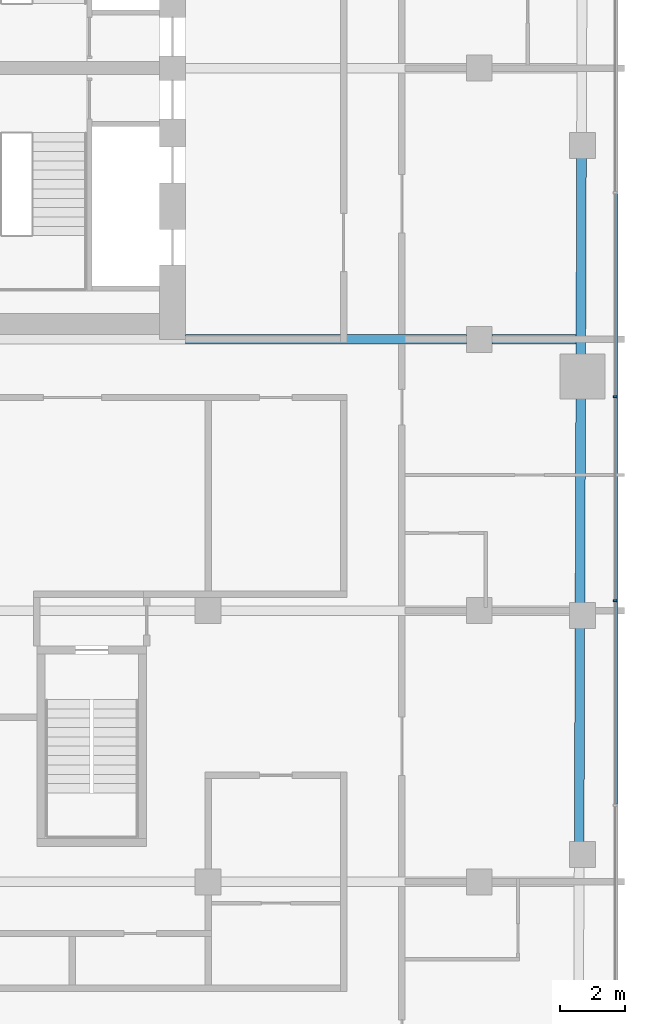
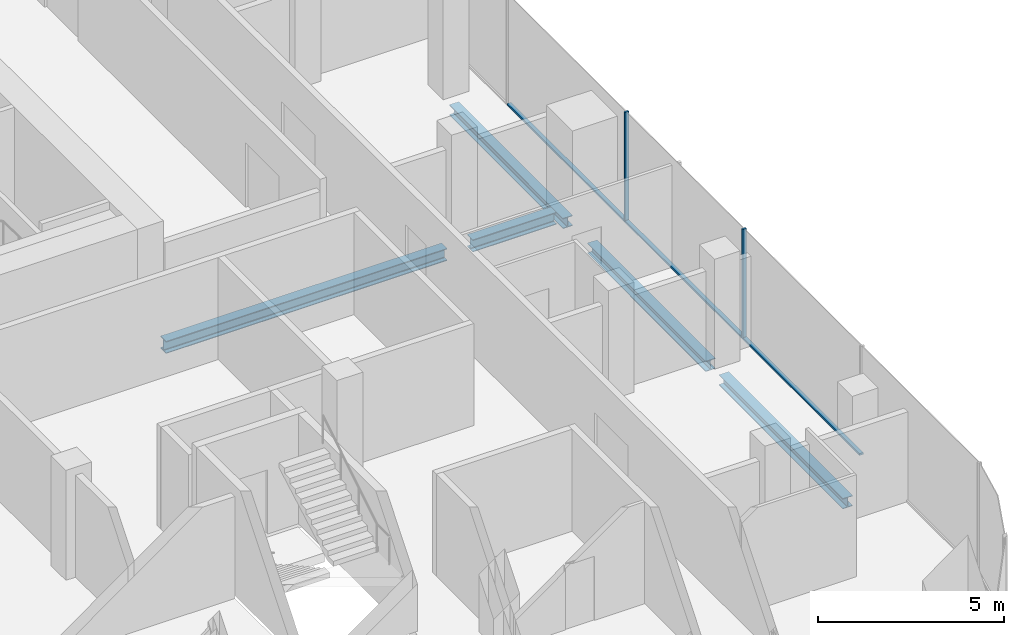
# One storey, part 7 of 21: 5 beams, 5 members, 1 element without a shape of its own.
"""IFC4 building model written with IfcOpenShell, lengths in metres."""

from ifc_helpers import new_model, si_unit, direction, frame, origin, origin_2d, place, context, subcontext, project, spatial, rectangle, i_section, extrude, material, layer, layer_set, material_profile, profile_set, type_object, element, aggregate, save


model = new_model("IFC4")

# Units and contexts
model_context = context("Model", 3, precision=1e-05, world=origin(), true_north=direction((0.0, 1.0)))
body_context = subcontext(model_context, "Body", "Model", "MODEL_VIEW")
ifc_project = project(units=[si_unit("LENGTHUNIT", "METRE"), si_unit("AREAUNIT", "SQUARE_METRE"), si_unit("VOLUMEUNIT", "CUBIC_METRE"), si_unit("PLANEANGLEUNIT", "RADIAN"), si_unit("MASSUNIT", "GRAM", prefix="KILO")], contexts=[model_context])

# Site, building, storey
site_placement = place(None, origin())
site = spatial("IfcSite", under=ifc_project, at=site_placement, CompositionType="ELEMENT")
building_placement = place(site_placement, origin())
building = spatial("IfcBuilding", under=site, at=building_placement, Name="Marenta Gate Hotel Tower", CompositionType="ELEMENT")
storey_placement = place(building_placement, frame((0.0, 0.0, 202.10009765625)))
storey = spatial("IfcBuildingStorey", under=building, at=storey_placement, Name="L46", CompositionType="ELEMENT", Elevation=202.10009765625)

# Beams
ifc_material_1 = material(Name="Steel S355", Category="steel")
ifc_material_profile_1 = material_profile(ifc_material_1, i_section(OverallWidth=0.300048828125, OverallDepth=0.340087890625, WebThickness=0.011962890625, FlangeThickness=0.021484375, FilletRadius=0.027099609375, at=origin_2d()), Name="HEB 340")
ifc_profile_set_1 = profile_set([ifc_material_profile_1], Name="Steel S355")
beam_type_1 = type_object("IfcBeamType", Name="Edge beam HEB 340", PredefinedType="SPANDREL", material=ifc_profile_set_1)
beam_1_placement = place(storey_placement, frame((24.164306640625, 5.643310546875, -0.43017578125), z_axis=(-0.003303859048, -0.999994542243, 0.0), x_axis=(0.999994542243, -0.003303859048, 0.0)))
element("IfcBeam", 1, at=beam_1_placement, inside=storey, type_object=beam_type_1, Name="L46-EB-24", PredefinedType="SPANDREL", context=body_context, shape_type="SweptSolid", body=[
    extrude(i_section(OverallWidth=0.300048828125, OverallDepth=0.340087890625, WebThickness=0.011962890625, FlangeThickness=0.021484375, FilletRadius=0.027099609375, at=origin_2d()), origin(), (0.0, 0.0, 1.0), 6.13330078125),
])
beam_2_placement = place(storey_placement, frame((24.1396484375, -1.81005859375, -0.43017578125), z_axis=(-0.003328723523, -0.999994459785, 0.0), x_axis=(0.999994459785, -0.003328723523, 0.0)))
element("IfcBeam", 2, at=beam_2_placement, inside=storey, type_object=beam_type_1, Name="L46-EB-25", PredefinedType="SPANDREL", context=body_context, shape_type="SweptSolid", body=[
    extrude(i_section(OverallWidth=0.300048828125, OverallDepth=0.340087890625, WebThickness=0.011962890625, FlangeThickness=0.021484375, FilletRadius=0.027099609375, at=origin_2d()), origin(), (0.0, 0.0, 1.0), 6.380859375),
])
beam_3_placement = place(storey_placement, frame((24.115966796875, -8.910888671875, -0.43017578125), z_axis=(-0.00332539729, -0.999994470851, 0.0), x_axis=(0.999994470851, -0.00332539729, 0.0)))
element("IfcBeam", 3, at=beam_3_placement, inside=storey, type_object=beam_type_1, Name="L46-EB-26", PredefinedType="SPANDREL", context=body_context, shape_type="SweptSolid", body=[
    extrude(i_section(OverallWidth=0.300048828125, OverallDepth=0.340087890625, WebThickness=0.011962890625, FlangeThickness=0.021484375, FilletRadius=0.027099609375, at=origin_2d()), origin(), (0.0, 0.0, 1.0), 6.680908203125),
])
ifc_material_2 = material(Name="Steel S355", Category="steel")
ifc_material_profile_2 = material_profile(ifc_material_2, i_section(OverallWidth=0.300048828125, OverallDepth=0.39990234375, WebThickness=0.013427734375, FlangeThickness=0.02392578125, FilletRadius=0.027099609375, at=origin_2d()), Name="HEB 400")
ifc_profile_set_2 = profile_set([ifc_material_profile_2], Name="Steel S355")
beam_type_2 = type_object("IfcBeamType", Name="Girder HEB 400", PredefinedType="BEAM", material=ifc_profile_set_2)
beam_4_placement = place(storey_placement, frame((11.89990234375, 0.0, -0.460205078125), z_axis=(1.0, 0.0, 0.0), x_axis=(0.0, 1.0, 0.0)))
element("IfcBeam", 4, at=beam_4_placement, inside=storey, type_object=beam_type_2, Name="L46-GD-23", PredefinedType="BEAM", context=body_context, shape_type="SweptSolid", body=[
    extrude(i_section(OverallWidth=0.300048828125, OverallDepth=0.39990234375, WebThickness=0.013427734375, FlangeThickness=0.02392578125, FilletRadius=0.027099609375, at=origin_2d()), origin(), (0.0, 0.0, 1.0), 8.7001953125),
])
beam_5_placement = place(storey_placement, frame((21.39990234375, 0.0, -0.460205078125), z_axis=(1.0, 0.0, 0.0), x_axis=(0.0, 1.0, 0.0)))
element("IfcBeam", 5, at=beam_5_placement, inside=storey, type_object=beam_type_2, Name="L46-GD-24", PredefinedType="BEAM", context=body_context, shape_type="SweptSolid", body=[
    extrude(i_section(OverallWidth=0.300048828125, OverallDepth=0.39990234375, WebThickness=0.013427734375, FlangeThickness=0.02392578125, FilletRadius=0.027099609375, at=origin_2d()), origin(), (0.0, 0.0, 1.0), 2.595703125),
])

# Curtain wall, members
ifc_material_3 = material(Name="Tinted insulated glass in bronze anodised frame", Category="glass")
ifc_layer = layer(ifc_material_3, 0.1201171875)
ifc_layer_set = layer_set([ifc_layer], Name="Tinted insulated glass in bronze anodised frame")
curtain_wall_type = type_object("IfcCurtainWallType", Name="Tower unitised curtain wall CW1", PredefinedType="NOTDEFINED", material=ifc_layer_set)
curtain_wall_placement = place(storey_placement, origin())
curtain_wall = element("IfcCurtainWall", 6, at=curtain_wall_placement, inside=storey, type_object=curtain_wall_type, Name="CW1 run G11", PredefinedType="NOTDEFINED")
ifc_material_4 = material(Name="Bronze anodised aluminium", Category="aluminium")
ifc_material_profile_3 = material_profile(ifc_material_4, rectangle(XDim=0.1201171875, YDim=0.06005859375, at=origin_2d()), Name="Mullion CW1 60x120 bronze anodised aluminium")
ifc_profile_set_3 = profile_set([ifc_material_profile_3], Name="Bronze anodised aluminium")
member_type_1 = type_object("IfcMemberType", Name="Mullion CW1 60x120 bronze anodised aluminium", PredefinedType="MULLION", material=ifc_profile_set_3)
member_1_placement = place(storey_placement, frame((25.214111328125, -8.0986328125, 0.0), z_axis=(0.0, 0.0, 1.0), x_axis=(-1.0, 0.0, 0.0)))
member_1 = element("IfcMember", 7, at=member_1_placement, type_object=member_type_1, Name="CW1 mullion 3", PredefinedType="MULLION", context=body_context, shape_type="SweptSolid", body=[
    extrude(rectangle(XDim=0.1201171875, YDim=0.06005859375, at=origin_2d()), origin(), (0.0, 0.0, 1.0), 3.599853515625),
])
member_2_placement = place(storey_placement, frame((25.214111328125, -1.77587890625, 0.0), z_axis=(0.0, 0.0, 1.0), x_axis=(-1.0, 0.0, 0.0)))
member_2 = element("IfcMember", 8, at=member_2_placement, type_object=member_type_1, Name="CW1 mullion 4", PredefinedType="MULLION", context=body_context, shape_type="SweptSolid", body=[
    extrude(rectangle(XDim=0.1201171875, YDim=0.06005859375, at=origin_2d()), origin(), (0.0, 0.0, 1.0), 3.599853515625),
])
ifc_material_5 = material(Name="Bronze anodised aluminium", Category="aluminium")
ifc_material_profile_4 = material_profile(ifc_material_5, rectangle(XDim=0.1201171875, YDim=0.06005859375, at=origin_2d()), Name="Transom CW1 60x120 bronze anodised aluminium")
ifc_profile_set_4 = profile_set([ifc_material_profile_4], Name="Bronze anodised aluminium")
member_type_2 = type_object("IfcMemberType", Name="Transom CW1 60x120 bronze anodised aluminium", PredefinedType="USERDEFINED", material=ifc_profile_set_4)
member_3_placement = place(storey_placement, frame((25.214111328125, -14.391357421875, 0.02978515625), z_axis=(0.0, 1.0, 0.0), x_axis=(-1.0, 0.0, 0.0)))
member_3 = element("IfcMember", 9, at=member_3_placement, type_object=member_type_2, Name="CW1 transom 2.1", ObjectType="TRANSOM", PredefinedType="USERDEFINED", context=body_context, shape_type="SweptSolid", body=[
    extrude(rectangle(XDim=0.1201171875, YDim=0.06005859375, at=origin_2d()), origin(), (0.0, 0.0, 1.0), 6.2626953125),
])
member_4_placement = place(storey_placement, frame((25.214111328125, -8.068603515625, 0.02978515625), z_axis=(0.0, 1.0, 0.0), x_axis=(-1.0, 0.0, 0.0)))
member_4 = element("IfcMember", 10, at=member_4_placement, type_object=member_type_2, Name="CW1 transom 3.1", ObjectType="TRANSOM", PredefinedType="USERDEFINED", context=body_context, shape_type="SweptSolid", body=[
    extrude(rectangle(XDim=0.1201171875, YDim=0.06005859375, at=origin_2d()), origin(), (0.0, 0.0, 1.0), 6.2626953125),
])
member_5_placement = place(storey_placement, frame((25.214111328125, -1.74609375, 0.02978515625), z_axis=(0.0, 1.0, 0.0), x_axis=(-1.0, 0.0, 0.0)))
member_5 = element("IfcMember", 11, at=member_5_placement, type_object=member_type_2, Name="CW1 transom 4.1", ObjectType="TRANSOM", PredefinedType="USERDEFINED", context=body_context, shape_type="SweptSolid", body=[
    extrude(rectangle(XDim=0.1201171875, YDim=0.06005859375, at=origin_2d()), origin(), (0.0, 0.0, 1.0), 6.2626953125),
])
aggregate(curtain_wall, [member_1, member_2, member_3, member_4, member_5])

save(model, "model.ifc")
